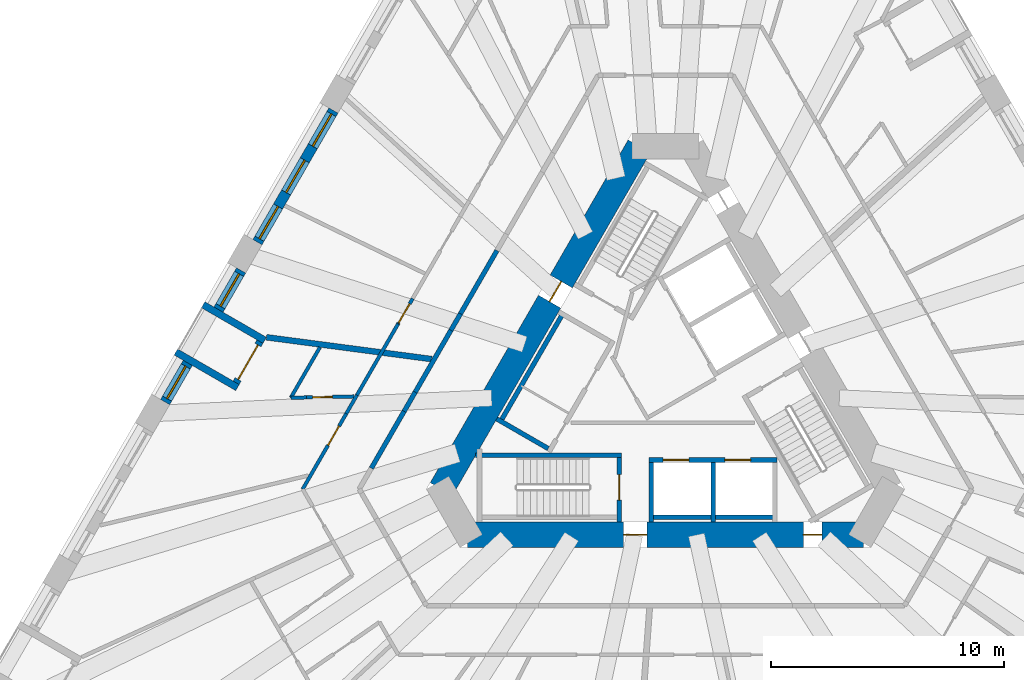
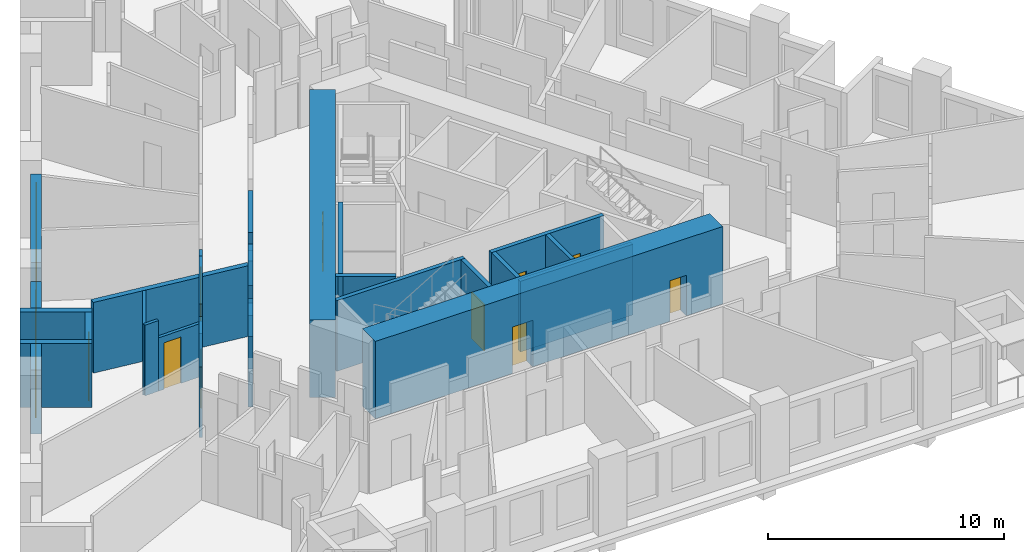
# One storey, part 4 of 14: 29 walls, 10 doors, 5 windows, 15 openings.
"""IFC4 building model written with IfcOpenShell, lengths in metres."""

from ifc_helpers import new_model, si_unit, direction, frame, frame_2d, origin, place, context, subcontext, project, spatial, polyline, rectangle, outline, extrude, material, layer, layer_set, type_object, element, fill, save


model = new_model("IFC4")

# Units and contexts
model_context = context("Model", 3, precision=1e-05, world=origin(), true_north=direction((0.0, 1.0)))
body_context = subcontext(model_context, "Body", "Model", "MODEL_VIEW")
ifc_project = project(units=[si_unit("LENGTHUNIT", "METRE"), si_unit("AREAUNIT", "SQUARE_METRE"), si_unit("VOLUMEUNIT", "CUBIC_METRE"), si_unit("PLANEANGLEUNIT", "RADIAN"), si_unit("MASSUNIT", "GRAM", prefix="KILO")], contexts=[model_context])

# Site, building, storey
site_placement = place(None, origin())
site = spatial("IfcSite", under=ifc_project, at=site_placement, CompositionType="ELEMENT")
building_placement = place(site_placement, origin())
building = spatial("IfcBuilding", under=site, at=building_placement, Name="Tramontana Tower", CompositionType="ELEMENT")
storey_placement = place(building_placement, frame((0.0, 0.0, 34.0)))
storey = spatial("IfcBuildingStorey", under=building, at=storey_placement, Name="L06", CompositionType="ELEMENT", Elevation=34.0)

# Wall, opening, door
ifc_material_1 = material(Name="Concrete 70 MPa", Category="concrete")
ifc_layer_1 = layer(ifc_material_1, 1.10009765625)
ifc_layer_set_1 = layer_set([ifc_layer_1], Name="Core wall 1100 70 MPa")
wall_type_1 = type_object("IfcWallType", Name="Core wall 1100 70 MPa", PredefinedType="SHEAR", material=ifc_layer_set_1)
wall_1_placement = place(storey_placement, frame((-1.125732421875, 10.449951171875, 0.0), z_axis=(0.0, 0.0, 1.0), x_axis=(-0.500001757713, -0.866024388966, 0.0)))
wall_1 = element("IfcWall", 1, at=wall_1_placement, inside=storey, type_object=wall_type_1, Name="Core wall C1 L06", PredefinedType="SHEAR", context=body_context, shape_type="SweptSolid", body=[
    extrude(rectangle(XDim=16.97412109375, YDim=1.10009765625, at=frame_2d((8.487060546875, 0.0))), origin(), (0.0, 0.0, 1.0), 4.0),
])
opening_1_placement = place(wall_1_placement, frame((6.692138671875, 0.0, 0.0)))
opening_1 = element("IfcOpeningElement", 2, at=opening_1_placement, cuts=wall_1, Name="Opening RG1", PredefinedType="OPENING", context=body_context, shape_type="SweptSolid", body=[
    extrude(rectangle(XDim=1.0, YDim=2.39990234375, at=frame_2d((0.5, 1.199951171875))), frame((0.0, 0.56005859375, 0.0), z_axis=(0.0, -1.0, 0.0), x_axis=(1.0, 0.0, 0.0)), (0.0, 0.0, 1.0), 1.1201171875),
])
ifc_material_2 = material(Name="Painted steel", Category="steel")
door_type_1 = type_object("IfcDoorType", Name="RING DOOR 1000", OperationType="SINGLE_SWING_LEFT", PredefinedType="DOOR", material=ifc_material_2)
door_1_placement = place(opening_1_placement, origin())
door_1 = element("IfcDoor", 3, at=door_1_placement, inside=storey, type_object=door_type_1, Name="Door RG1", OperationType="SINGLE_SWING_RIGHT", OverallHeight=2.39990234375, OverallWidth=1.0, PredefinedType="DOOR", context=body_context, shape_type="SweptSolid", body=[
    extrude(rectangle(XDim=1.0, YDim=2.39990234375, at=frame_2d((0.5, 1.199951171875))), frame((0.0, 0.02490234375, 0.0), z_axis=(0.0, -1.0, 0.0), x_axis=(1.0, 0.0, 0.0)), (0.0, 0.0, 1.0), 0.050048828125),
])
fill(opening_1, door_1)

# Wall, openings, doors
wall_2_placement = place(storey_placement, frame((-8.487060546875, -6.199951171875, 0.0), z_axis=(0.0, 0.0, 1.0), x_axis=(1.0, 0.0, 0.0)))
wall_2 = element("IfcWall", 4, at=wall_2_placement, inside=storey, type_object=wall_type_1, Name="Core wall C3 L06", PredefinedType="SHEAR", context=body_context, shape_type="SweptSolid", body=[
    extrude(rectangle(XDim=16.97412109375, YDim=1.10009765625, at=frame_2d((8.487060546875, 0.0))), origin(), (0.0, 0.0, 1.0), 4.0),
])
opening_2_placement = place(wall_2_placement, frame((6.69189453125, 0.0, 0.0)))
opening_2 = element("IfcOpeningElement", 5, at=opening_2_placement, cuts=wall_2, Name="Opening RG2", PredefinedType="OPENING", context=body_context, shape_type="SweptSolid", body=[
    extrude(rectangle(XDim=1.0, YDim=2.39990234375, at=frame_2d((0.5, 1.199951171875))), frame((0.0, 0.56005859375, 0.0), z_axis=(0.0, -1.0, 0.0), x_axis=(1.0, 0.0, 0.0)), (0.0, 0.0, 1.0), 1.1201171875),
])
opening_3_placement = place(wall_2_placement, frame((14.39697265625, 0.0, 0.0)))
opening_3 = element("IfcOpeningElement", 6, at=opening_3_placement, cuts=wall_2, Name="Opening PD2", PredefinedType="OPENING", context=body_context, shape_type="SweptSolid", body=[
    extrude(rectangle(XDim=0.800048828125, YDim=2.10009765625, at=frame_2d((0.39990234375, 1.050048828125))), frame((0.0, 0.56005859375, 0.0), z_axis=(0.0, -1.0, 0.0), x_axis=(1.0, 0.0, 0.0)), (0.0, 0.0, 1.0), 1.1201171875),
])
ifc_material_3 = material(Name="Painted steel", Category="steel")
door_type_2 = type_object("IfcDoorType", Name="CUPBOARD DOOR 800", OperationType="SINGLE_SWING_LEFT", PredefinedType="DOOR", material=ifc_material_3)
door_2_placement = place(opening_3_placement, origin())
door_2 = element("IfcDoor", 7, at=door_2_placement, inside=storey, type_object=door_type_2, Name="Door PD2", OperationType="SINGLE_SWING_LEFT", OverallHeight=2.10009765625, OverallWidth=0.800048828125, PredefinedType="DOOR", context=body_context, shape_type="SweptSolid", body=[
    extrude(rectangle(XDim=0.800048828125, YDim=2.10009765625, at=frame_2d((0.39990234375, 1.050048828125))), frame((0.0, 0.02490234375, 0.0), z_axis=(0.0, -1.0, 0.0), x_axis=(1.0, 0.0, 0.0)), (0.0, 0.0, 1.0), 0.050048828125),
])
fill(opening_3, door_2)
door_3_placement = place(opening_2_placement, origin())
door_3 = element("IfcDoor", 8, at=door_3_placement, inside=storey, type_object=door_type_1, Name="Door RG2", OperationType="SINGLE_SWING_LEFT", OverallHeight=2.39990234375, OverallWidth=1.0, PredefinedType="DOOR", context=body_context, shape_type="SweptSolid", body=[
    extrude(rectangle(XDim=1.0, YDim=2.39990234375, at=frame_2d((0.5, 1.199951171875))), frame((0.0, 0.02490234375, 0.0), z_axis=(0.0, -1.0, 0.0), x_axis=(1.0, 0.0, 0.0)), (0.0, 0.0, 1.0), 0.050048828125),
])
fill(opening_2, door_3)

# Walls
ifc_material_4 = material(Name="Blockwork", Category="masonry")
ifc_layer_2 = layer(ifc_material_4, 0.199951171875)
ifc_layer_set_2 = layer_set([ifc_layer_2], Name="ENTRY WALL 200")
wall_type_2 = type_object("IfcWallType", Name="ENTRY WALL 200", PredefinedType="SOLIDWALL", material=ifc_layer_set_2)
wall_3_placement = place(storey_placement, frame((-12.616943359375, -3.353515625, 0.0), z_axis=(0.0, 0.0, 1.0), x_axis=(0.49993514545, 0.866062844338, 0.0)))
element("IfcWall", 9, at=wall_3_placement, inside=storey, type_object=wall_type_2, Name="Wall v01-ew4-1", PredefinedType="SOLIDWALL", context=body_context, shape_type="SweptSolid", body=[
    extrude(rectangle(XDim=2.815185546875, YDim=0.199951171875, at=frame_2d((1.40771484375, 0.0))), origin(), (0.0, 0.0, 1.0), 3.64990234375),
])
wall_4_placement = place(storey_placement, frame((-11.20947265625, -0.915283203125, 0.0), z_axis=(0.0, 0.0, 1.0), x_axis=(0.500174821557, 0.865924446982, 0.0)))
element("IfcWall", 10, at=wall_4_placement, inside=storey, type_object=wall_type_2, Name="Wall v01-ew4-2", PredefinedType="SOLIDWALL", context=body_context, shape_type="SweptSolid", body=[
    extrude(rectangle(XDim=0.949951171875, YDim=0.199951171875, at=frame_2d((0.47509765625, 0.0))), origin(), (0.0, 0.0, 1.0), 2.75),
])
wall_5_placement = place(storey_placement, frame((-10.734375, -0.0927734375, 0.0), z_axis=(0.0, 0.0, 1.0), x_axis=(0.499952348839, 0.866052913447, 0.0)))
element("IfcWall", 11, at=wall_5_placement, inside=storey, type_object=wall_type_2, Name="Wall v01-ew4-3", PredefinedType="SOLIDWALL", context=body_context, shape_type="SweptSolid", body=[
    extrude(rectangle(XDim=3.064208984375, YDim=0.199951171875, at=frame_2d((1.5322265625, 0.0))), origin(), (0.0, 0.0, 1.0), 3.64990234375),
])
wall_6_placement = place(storey_placement, frame((-9.202392578125, 2.56103515625, 0.0), z_axis=(0.0, 0.0, 1.0), x_axis=(0.500118501653, 0.865956976012, 0.0)))
element("IfcWall", 12, at=wall_6_placement, inside=storey, type_object=wall_type_2, Name="Wall v01-ew4-4", PredefinedType="SOLIDWALL", context=body_context, shape_type="SweptSolid", body=[
    extrude(rectangle(XDim=0.818115234375, YDim=0.199951171875, at=frame_2d((0.4091796875, 0.0))), origin(), (0.0, 0.0, 1.0), 2.75),
])
wall_7_placement = place(storey_placement, frame((-8.793212890625, 3.26953125, 0.0), z_axis=(0.0, 0.0, 1.0), x_axis=(0.499947505232, 0.866055709532, 0.0)))
element("IfcWall", 13, at=wall_7_placement, inside=storey, type_object=wall_type_2, Name="Wall v01-ew4-5", PredefinedType="SOLIDWALL", context=body_context, shape_type="SweptSolid", body=[
    extrude(rectangle(XDim=3.130126953125, YDim=0.199951171875, at=frame_2d((1.56494140625, 0.0))), origin(), (0.0, 0.0, 1.0), 3.64990234375),
])

# Wall, openings, windows
ifc_material_5 = material(Name="Precast concrete 60 MPa", Category="concrete")
ifc_layer_3 = layer(ifc_material_5, 0.449951171875)
ifc_layer_set_3 = layer_set([ifc_layer_3], Name="Precast concrete 60 MPa, 450 mm")
wall_type_3 = type_object("IfcWallType", Name="EW1 Stone-faced precast wall 450", PredefinedType="SOLIDWALL", material=ifc_layer_set_3)
wall_8_placement = place(storey_placement, frame((-14.240478515625, 11.98486328125, 0.0), z_axis=(0.0, 0.0, 1.0), x_axis=(-0.500002371706, -0.866024034475, 0.0)))
wall_8 = element("IfcWall", 14, at=wall_8_placement, inside=storey, type_object=wall_type_3, Name="External wall L06 face 0 bay 4", PredefinedType="SOLIDWALL", context=body_context, shape_type="SweptSolid", body=[
    extrude(rectangle(XDim=6.51806640625, YDim=0.449951171875, at=frame_2d((3.259033203125, 0.0))), origin(), (0.0, 0.0, 1.0), 3.300048828125),
])
opening_4_placement = place(wall_8_placement, frame((0.169677734375, 0.0, 0.699951171875)))
opening_4 = element("IfcOpeningElement", 15, at=opening_4_placement, cuts=wall_8, Name="Opening M1", PredefinedType="OPENING", context=body_context, shape_type="SweptSolid", body=[
    extrude(rectangle(XDim=1.60009765625, YDim=2.300048828125, at=frame_2d((0.800048828125, 1.14990234375))), frame((0.0, 0.23486328125, 0.0), z_axis=(0.0, -1.0, 0.0), x_axis=(1.0, 0.0, 0.0)), (0.0, 0.0, 1.0), 0.469970703125),
])
opening_5_placement = place(wall_8_placement, frame((2.458984375, 0.0, 0.699951171875)))
opening_5 = element("IfcOpeningElement", 16, at=opening_5_placement, cuts=wall_8, Name="Opening M1", PredefinedType="OPENING", context=body_context, shape_type="SweptSolid", body=[
    extrude(rectangle(XDim=1.60009765625, YDim=2.300048828125, at=frame_2d((0.800048828125, 1.14990234375))), frame((0.0, 0.23486328125, 0.0), z_axis=(0.0, -1.0, 0.0), x_axis=(1.0, 0.0, 0.0)), (0.0, 0.0, 1.0), 0.469970703125),
])
opening_6_placement = place(wall_8_placement, frame((4.748291015625, 0.0, 0.699951171875)))
opening_6 = element("IfcOpeningElement", 17, at=opening_6_placement, cuts=wall_8, Name="Opening M1", PredefinedType="OPENING", context=body_context, shape_type="SweptSolid", body=[
    extrude(rectangle(XDim=1.60009765625, YDim=2.300048828125, at=frame_2d((0.800048828125, 1.14990234375))), frame((0.0, 0.23486328125, 0.0), z_axis=(0.0, -1.0, 0.0), x_axis=(1.0, 0.0, 0.0)), (0.0, 0.0, 1.0), 0.469970703125),
])
ifc_material_6 = material(Name="Aluminum frame, double glazing unit", Category="aluminium")
window_type = type_object("IfcWindowType", Name="M1 Window 1.6 x 2.3", PartitioningType="SINGLE_PANEL", PredefinedType="WINDOW", material=ifc_material_6)
window_1_placement = place(opening_4_placement, origin())
window_1 = element("IfcWindow", 18, at=window_1_placement, inside=storey, type_object=window_type, Name="Window M1 L06 face 0 module 10", OverallHeight=2.300048828125, OverallWidth=1.60009765625, PartitioningType="SINGLE_PANEL", PredefinedType="WINDOW", context=body_context, shape_type="SweptSolid", body=[
    extrude(rectangle(XDim=1.60009765625, YDim=2.300048828125, at=frame_2d((0.800048828125, 1.14990234375))), frame((0.0, 0.030029296875, 0.0), z_axis=(0.0, -1.0, 0.0), x_axis=(1.0, 0.0, 0.0)), (0.0, 0.0, 1.0), 0.06005859375),
])
fill(opening_4, window_1)
window_2_placement = place(opening_5_placement, origin())
window_2 = element("IfcWindow", 19, at=window_2_placement, inside=storey, type_object=window_type, Name="Window M1 L06 face 0 module 11", OverallHeight=2.300048828125, OverallWidth=1.60009765625, PartitioningType="SINGLE_PANEL", PredefinedType="WINDOW", context=body_context, shape_type="SweptSolid", body=[
    extrude(rectangle(XDim=1.60009765625, YDim=2.300048828125, at=frame_2d((0.800048828125, 1.14990234375))), frame((0.0, 0.030029296875, 0.0), z_axis=(0.0, -1.0, 0.0), x_axis=(1.0, 0.0, 0.0)), (0.0, 0.0, 1.0), 0.06005859375),
])
fill(opening_5, window_2)
window_3_placement = place(opening_6_placement, origin())
window_3 = element("IfcWindow", 20, at=window_3_placement, inside=storey, type_object=window_type, Name="Window M1 L06 face 0 module 12", OverallHeight=2.300048828125, OverallWidth=1.60009765625, PartitioningType="SINGLE_PANEL", PredefinedType="WINDOW", context=body_context, shape_type="SweptSolid", body=[
    extrude(rectangle(XDim=1.60009765625, YDim=2.300048828125, at=frame_2d((0.800048828125, 1.14990234375))), frame((0.0, 0.030029296875, 0.0), z_axis=(0.0, -1.0, 0.0), x_axis=(1.0, 0.0, 0.0)), (0.0, 0.0, 1.0), 0.06005859375),
])
fill(opening_6, window_3)

# Wall, opening, window
wall_9_placement = place(storey_placement, frame((-18.199462890625, 5.127685546875, 0.0), z_axis=(0.0, 0.0, 1.0), x_axis=(-0.499944052521, -0.866057702667, 0.0)))
wall_9 = element("IfcWall", 21, at=wall_9_placement, inside=storey, type_object=wall_type_3, Name="External wall L06 face 0 bay 5", PredefinedType="SOLIDWALL", context=body_context, shape_type="SweptSolid", body=[
    extrude(rectangle(XDim=1.939208984375, YDim=0.449951171875, at=frame_2d((0.9697265625, 0.0))), origin(), (0.0, 0.0, 1.0), 3.300048828125),
])
opening_7_placement = place(wall_9_placement, frame((0.169677734375, 0.0, 0.699951171875)))
opening_7 = element("IfcOpeningElement", 22, at=opening_7_placement, cuts=wall_9, Name="Opening M1", PredefinedType="OPENING", context=body_context, shape_type="SweptSolid", body=[
    extrude(rectangle(XDim=1.60009765625, YDim=2.300048828125, at=frame_2d((0.800048828125, 1.14990234375))), frame((0.0, 0.23486328125, 0.0), z_axis=(0.0, -1.0, 0.0), x_axis=(1.0, 0.0, 0.0)), (0.0, 0.0, 1.0), 0.469970703125),
])
window_4_placement = place(opening_7_placement, origin())
window_4 = element("IfcWindow", 23, at=window_4_placement, inside=storey, type_object=window_type, Name="Window M1 L06 face 0 module 13", OverallHeight=2.300048828125, OverallWidth=1.60009765625, PartitioningType="SINGLE_PANEL", PredefinedType="WINDOW", context=body_context, shape_type="SweptSolid", body=[
    extrude(rectangle(XDim=1.60009765625, YDim=2.300048828125, at=frame_2d((0.800048828125, 1.14990234375))), frame((0.0, 0.030029296875, 0.0), z_axis=(0.0, -1.0, 0.0), x_axis=(1.0, 0.0, 0.0)), (0.0, 0.0, 1.0), 0.06005859375),
])
fill(opening_7, window_4)

wall_10_placement = place(storey_placement, frame((-20.48876953125, 1.16259765625, 0.0), z_axis=(0.0, 0.0, 1.0), x_axis=(-0.49998396455, -0.866034661658, 0.0)))
wall_10 = element("IfcWall", 24, at=wall_10_placement, inside=storey, type_object=wall_type_3, Name="External wall L06 face 0 bay 5", PredefinedType="SOLIDWALL", context=body_context, shape_type="SweptSolid", body=[
    extrude(rectangle(XDim=1.939453125, YDim=0.449951171875, at=frame_2d((0.9697265625, 0.0))), origin(), (0.0, 0.0, 1.0), 3.300048828125),
])
opening_8_placement = place(wall_10_placement, frame((0.169677734375, 0.0, 0.699951171875)))
opening_8 = element("IfcOpeningElement", 25, at=opening_8_placement, cuts=wall_10, Name="Opening M1", PredefinedType="OPENING", context=body_context, shape_type="SweptSolid", body=[
    extrude(rectangle(XDim=1.60009765625, YDim=2.300048828125, at=frame_2d((0.800048828125, 1.14990234375))), frame((0.0, 0.23486328125, 0.0), z_axis=(0.0, -1.0, 0.0), x_axis=(1.0, 0.0, 0.0)), (0.0, 0.0, 1.0), 0.469970703125),
])
window_5_placement = place(opening_8_placement, origin())
window_5 = element("IfcWindow", 26, at=window_5_placement, inside=storey, type_object=window_type, Name="Window M1 L06 face 0 module 15", OverallHeight=2.300048828125, OverallWidth=1.60009765625, PartitioningType="SINGLE_PANEL", PredefinedType="WINDOW", context=body_context, shape_type="SweptSolid", body=[
    extrude(rectangle(XDim=1.60009765625, YDim=2.300048828125, at=frame_2d((0.800048828125, 1.14990234375))), frame((0.0, 0.030029296875, 0.0), z_axis=(0.0, -1.0, 0.0), x_axis=(1.0, 0.0, 0.0)), (0.0, 0.0, 1.0), 0.06005859375),
])
fill(opening_8, window_5)

# Wall, opening, door
ifc_material_7 = material(Name="Precast concrete 60 MPa", Category="concrete")
ifc_layer_4 = layer(ifc_material_7, 0.300048828125)
ifc_layer_set_4 = layer_set([ifc_layer_4], Name="LW1 Stone-faced loggia wall 300")
wall_type_4 = type_object("IfcWallType", Name="LW1 Stone-faced loggia wall 300", PredefinedType="SOLIDWALL", material=ifc_layer_set_4)
wall_11_placement = place(storey_placement, frame((-17.39208984375, 2.075927734375, 0.0), z_axis=(0.0, 0.0, 1.0), x_axis=(-0.500040236659, -0.866002171892, 0.0)))
wall_11 = element("IfcWall", 27, at=wall_11_placement, inside=storey, type_object=wall_type_4, Name="Loggia wall L06 G0S0.13", PredefinedType="SOLIDWALL", context=body_context, shape_type="SweptSolid", body=[
    extrude(rectangle(XDim=2.039306640625, YDim=0.300048828125, at=frame_2d((1.01953125, 0.0))), origin(), (0.0, 0.0, 1.0), 3.300048828125),
])
opening_9_placement = place(wall_11_placement, frame((0.169677734375, 0.0, 0.0)))
opening_9 = element("IfcOpeningElement", 28, at=opening_9_placement, cuts=wall_11, Name="Opening BD-0S0-13", PredefinedType="OPENING", context=body_context, shape_type="SweptSolid", body=[
    extrude(rectangle(XDim=1.699951171875, YDim=2.39990234375, at=frame_2d((0.85009765625, 1.199951171875))), frame((0.0, 0.159912109375, 0.0), z_axis=(0.0, -1.0, 0.0), x_axis=(1.0, 0.0, 0.0)), (0.0, 0.0, 1.0), 0.320068359375),
])
ifc_material_8 = material(Name="Aluminum frame, double glazing unit", Category="aluminium")
door_type_3 = type_object("IfcDoorType", Name="BD1 Sliding door 1.7 x 2.4", OperationType="SLIDING_TO_LEFT", PredefinedType="DOOR", material=ifc_material_8)
door_4_placement = place(opening_9_placement, origin())
door_4 = element("IfcDoor", 29, at=door_4_placement, inside=storey, type_object=door_type_3, Name="Loggia door L06 G0S0.13", OperationType="SLIDING_TO_LEFT", OverallHeight=2.39990234375, OverallWidth=1.699951171875, PredefinedType="DOOR", context=body_context, shape_type="SweptSolid", body=[
    extrude(rectangle(XDim=1.699951171875, YDim=2.39990234375, at=frame_2d((0.85009765625, 1.199951171875))), frame((0.0, 0.02490234375, 0.0), z_axis=(0.0, -1.0, 0.0), x_axis=(1.0, 0.0, 0.0)), (0.0, 0.0, 1.0), 0.050048828125),
])
fill(opening_9, door_4)

# Walls
for number, where, z_axis, x_axis, name in (
    (30, (-19.82861328125, 3.65576171875, 0.0), (0.0, 0.0, 1.0), (0.866037623948, -0.499978833458, 0.0), "Loggia return L06 G0S0.13a"),
    (31, (-20.998291015625, 1.6298828125, 0.0), (0.0, 0.0, 1.0), (0.866037623948, -0.499978833458, 0.0), "Loggia return L06 G0S0.13b"),
):
    element("IfcWall", number, at=place(storey_placement, frame(where, z_axis=z_axis, x_axis=x_axis)), inside=storey, type_object=wall_type_4, Name=name, PredefinedType="SOLIDWALL", context=body_context, shape_type="SweptSolid", body=[
        extrude(rectangle(XDim=3.050048828125, YDim=0.300048828125, at=frame_2d((1.52490234375, 0.0))), origin(), (0.0, 0.0, 1.0), 3.300048828125),
    ])
ifc_material_9 = material(Name="Gypsum board partition")
ifc_layer_5 = layer(ifc_material_9, 0.14990234375)
ifc_layer_set_5 = layer_set([ifc_layer_5], Name="PARTITION 150")
wall_type_5 = type_object("IfcWallType", Name="PARTITION 150", PredefinedType="PARTITIONING", material=ifc_layer_set_5)
wall_12_placement = place(storey_placement, frame((-16.069580078125, -0.333251953125, 0.0), z_axis=(0.0, 0.0, 1.0), x_axis=(0.500004234368, 0.866022959057, 0.0)))
element("IfcWall", 32, at=wall_12_placement, inside=storey, type_object=wall_type_5, Name="Wall v01-pw05", PredefinedType="PARTITIONING", context=body_context, shape_type="SweptSolid", body=[
    extrude(rectangle(XDim=2.5, YDim=0.14990234375, at=frame_2d((1.25, 0.0))), origin(), (0.0, 0.0, 1.0), 3.64990234375),
])

# Wall, opening, door
wall_13_placement = place(storey_placement, frame((-15.5595703125, -4.25, 0.0), z_axis=(0.0, 0.0, 1.0), x_axis=(0.500007375767, 0.866021145342, 0.0)))
wall_13 = element("IfcWall", 33, at=wall_13_placement, inside=storey, type_object=wall_type_5, Name="Wall v01-pw07-0", PredefinedType="PARTITIONING", context=body_context, shape_type="SweptSolid", body=[
    extrude(rectangle(XDim=3.7333984375, YDim=0.14990234375, at=frame_2d((1.86669921875, 0.0))), origin(), (0.0, 0.0, 1.0), 3.64990234375),
])
opening_10_placement = place(wall_13_placement, frame((2.170654296875, 0.0, 0.0)))
opening_10 = element("IfcOpeningElement", 34, at=opening_10_placement, cuts=wall_13, Name="Opening B0B-18", PredefinedType="OPENING", context=body_context, shape_type="SweptSolid", body=[
    extrude(rectangle(XDim=0.949951171875, YDim=2.39990234375, at=frame_2d((0.47509765625, 1.199951171875))), frame((0.0, 0.0849609375, 0.0), z_axis=(0.0, -1.0, 0.0), x_axis=(1.0, 0.0, 0.0)), (0.0, 0.0, 1.0), 0.169921875),
])
ifc_material_10 = material(Name="Painted timber", Category="wood")
door_type_4 = type_object("IfcDoorType", Name="DOOR ROOM 950", OperationType="SINGLE_SWING_LEFT", PredefinedType="DOOR", material=ifc_material_10)
door_5_placement = place(opening_10_placement, origin())
door_5 = element("IfcDoor", 35, at=door_5_placement, inside=storey, type_object=door_type_4, Name="Door B0B-18", OperationType="SINGLE_SWING_RIGHT", OverallHeight=2.39990234375, OverallWidth=0.949951171875, PredefinedType="DOOR", context=body_context, shape_type="SweptSolid", body=[
    extrude(rectangle(XDim=0.949951171875, YDim=2.39990234375, at=frame_2d((0.47509765625, 1.199951171875))), frame((0.0, 0.02490234375, 0.0), z_axis=(0.0, -1.0, 0.0), x_axis=(1.0, 0.0, 0.0)), (0.0, 0.0, 1.0), 0.050048828125),
])
fill(opening_10, door_5)

# Walls
wall_14_placement = place(storey_placement, frame((-13.69287109375, -1.016845703125, 0.0), z_axis=(0.0, 0.0, 1.0), x_axis=(0.499906209203, 0.866079547155, 0.0)))
element("IfcWall", 36, at=wall_14_placement, inside=storey, type_object=wall_type_5, Name="Wall v01-pw07-1", PredefinedType="PARTITIONING", context=body_context, shape_type="SweptSolid", body=[
    extrude(rectangle(XDim=0.920166015625, YDim=0.14990234375, at=frame_2d((0.4599609375, 0.0))), origin(), (0.0, 0.0, 1.0), 2.75),
])
wall_15_placement = place(storey_placement, frame((-13.23291015625, -0.219970703125, 0.0), z_axis=(0.0, 0.0, 1.0), x_axis=(0.500008478926, 0.866020508419, 0.0)))
element("IfcWall", 37, at=wall_15_placement, inside=storey, type_object=wall_type_5, Name="Wall v01-pw07-2", PredefinedType="PARTITIONING", context=body_context, shape_type="SweptSolid", body=[
    extrude(rectangle(XDim=3.52197265625, YDim=0.14990234375, at=frame_2d((1.760986328125, 0.0))), origin(), (0.0, 0.0, 1.0), 3.64990234375),
])

# Wall, opening, door
wall_16_placement = place(storey_placement, frame((-11.471923828125, 2.830078125, 0.0), z_axis=(0.0, 0.0, 1.0), x_axis=(0.499935087192, 0.866062877968, 0.0)))
wall_16 = element("IfcWall", 38, at=wall_16_placement, inside=storey, type_object=wall_type_5, Name="Wall v01-pw07-3", PredefinedType="PARTITIONING", context=body_context, shape_type="SweptSolid", body=[
    extrude(outline(polyline([(0.0, 0.0), (1.259033203125, 0.0), (1.2587890625, 2.75), (0.46630859375, 2.75), (0.46630859375, 3.64990234375), (0.0, 3.64990234375), (0.0, 0.0)])), frame((0.0, 0.074951171875, 0.0), z_axis=(0.0, -1.0, 0.0), x_axis=(1.0, 0.0, 0.0)), (0.0, 0.0, 1.0), 0.14990234375),
])
opening_11_placement = place(wall_16_placement, frame((0.050048828125, 0.0, 0.0)))
opening_11 = element("IfcOpeningElement", 39, at=opening_11_placement, cuts=wall_16, Name="Opening B0B-10", PredefinedType="OPENING", context=body_context, shape_type="SweptSolid", body=[
    extrude(rectangle(XDim=0.949951171875, YDim=2.39990234375, at=frame_2d((0.47509765625, 1.199951171875))), frame((0.0, 0.0849609375, 0.0), z_axis=(0.0, -1.0, 0.0), x_axis=(1.0, 0.0, 0.0)), (0.0, 0.0, 1.0), 0.169921875),
])
door_6_placement = place(opening_11_placement, origin())
door_6 = element("IfcDoor", 40, at=door_6_placement, inside=storey, type_object=door_type_4, Name="Door B0B-10", OperationType="SINGLE_SWING_RIGHT", OverallHeight=2.39990234375, OverallWidth=0.949951171875, PredefinedType="DOOR", context=body_context, shape_type="SweptSolid", body=[
    extrude(rectangle(XDim=0.949951171875, YDim=2.39990234375, at=frame_2d((0.47509765625, 1.199951171875))), frame((0.0, 0.02490234375, 0.0), z_axis=(0.0, -1.0, 0.0), x_axis=(1.0, 0.0, 0.0)), (0.0, 0.0, 1.0), 0.050048828125),
])
fill(opening_11, door_6)

wall_17_placement = place(storey_placement, frame((-15.39892578125, -0.3193359375, 0.0), z_axis=(0.0, 0.0, 1.0), x_axis=(0.999787125037, 0.020632610358, 0.0)))
wall_17 = element("IfcWall", 41, at=wall_17_placement, inside=storey, type_object=wall_type_5, Name="Wall v01-pw10-0", PredefinedType="PARTITIONING", context=body_context, shape_type="SweptSolid", body=[
    extrude(rectangle(XDim=2.047119140625, YDim=0.14990234375, at=frame_2d((1.0234375, 0.0))), origin(), (0.0, 0.0, 1.0), 2.75),
])
opening_12_placement = place(wall_17_placement, frame((0.262939453125, 0.0, 0.0)))
opening_12 = element("IfcOpeningElement", 42, at=opening_12_placement, cuts=wall_17, Name="Opening B0B-21", PredefinedType="OPENING", context=body_context, shape_type="SweptSolid", body=[
    extrude(rectangle(XDim=0.85009765625, YDim=2.39990234375, at=frame_2d((0.425048828125, 1.199951171875))), frame((0.0, 0.0849609375, 0.0), z_axis=(0.0, -1.0, 0.0), x_axis=(1.0, 0.0, 0.0)), (0.0, 0.0, 1.0), 0.169921875),
])
ifc_material_11 = material(Name="Painted timber", Category="wood")
door_type_5 = type_object("IfcDoorType", Name="DOOR BATH 850", OperationType="SINGLE_SWING_LEFT", PredefinedType="DOOR", material=ifc_material_11)
door_7_placement = place(opening_12_placement, origin())
door_7 = element("IfcDoor", 43, at=door_7_placement, inside=storey, type_object=door_type_5, Name="Door B0B-21", OperationType="SINGLE_SWING_LEFT", OverallHeight=2.39990234375, OverallWidth=0.85009765625, PredefinedType="DOOR", context=body_context, shape_type="SweptSolid", body=[
    extrude(rectangle(XDim=0.85009765625, YDim=2.39990234375, at=frame_2d((0.425048828125, 1.199951171875))), frame((0.0, 0.02490234375, 0.0), z_axis=(0.0, -1.0, 0.0), x_axis=(1.0, 0.0, 0.0)), (0.0, 0.0, 1.0), 0.050048828125),
])
fill(opening_12, door_7)

# Walls
wall_18_placement = place(storey_placement, frame((-15.39892578125, -0.3193359375, 0.0), z_axis=(0.0, 0.0, 1.0), x_axis=(-0.999784790131, -0.020745443406, 0.0)))
element("IfcWall", 44, at=wall_18_placement, inside=storey, type_object=wall_type_5, Name="Wall v01-pw10-1", PredefinedType="PARTITIONING", context=body_context, shape_type="SweptSolid", body=[
    extrude(rectangle(XDim=0.6708984375, YDim=0.14990234375, at=frame_2d((0.33544921875, 0.0))), origin(), (0.0, 0.0, 1.0), 3.64990234375),
])
ifc_material_12 = material(Name="Blockwork", Category="masonry")
ifc_layer_6 = layer(ifc_material_12, 0.25)
ifc_layer_set_6 = layer_set([ifc_layer_6], Name="PARTY WALL 250")
wall_type_6 = type_object("IfcWallType", Name="PARTY WALL 250", PredefinedType="SOLIDWALL", material=ifc_layer_set_6)
wall_19_placement = place(storey_placement, frame((-10.03125, 1.3251953125, 0.0), z_axis=(0.0, 0.0, 1.0), x_axis=(-0.991384816292, 0.130981472074, 0.0)))
element("IfcWall", 45, at=wall_19_placement, inside=storey, type_object=wall_type_6, Name="Wall v01-pw16", PredefinedType="SOLIDWALL", context=body_context, shape_type="SweptSolid", body=[
    extrude(rectangle(XDim=7.142578125, YDim=0.25, at=frame_2d((3.5712890625, 0.0))), origin(), (0.0, 0.0, 1.0), 3.64990234375),
])
ifc_material_13 = material(Name="Concrete 70 MPa", Category="concrete")
ifc_layer_7 = layer(ifc_material_13, 0.199951171875)
ifc_layer_set_7 = layer_set([ifc_layer_7], Name="Concrete 70 MPa, 200 mm")
wall_type_7 = type_object("IfcWallType", Name="RC SHAFT BACK WALL 200", PredefinedType="SOLIDWALL", material=ifc_layer_set_7)
for number, where, z_axis, x_axis, name in (
    (46, (-4.36474609375, 3.33984375, 0.0), (0.0, 0.0, 1.0), (-0.499996545922, -0.866027397988, 0.0), "Wall row0-back"),
    (47, (-0.7099609375, -5.449951171875, 0.0), (0.0, 0.0, 1.0), (1.0, 0.0, 0.0), "Wall row1-back"),
):
    element("IfcWall", number, at=place(storey_placement, frame(where, z_axis=z_axis, x_axis=x_axis)), inside=storey, type_object=wall_type_7, Name=name, PredefinedType="SOLIDWALL", context=body_context, shape_type="SweptSolid", body=[
        extrude(rectangle(XDim=5.5, YDim=0.199951171875, at=frame_2d((2.75, 0.0))), origin(), (0.0, 0.0, 1.0), 3.64990234375),
    ])
ifc_material_14 = material(Name="Concrete 70 MPa", Category="concrete")
ifc_layer_8 = layer(ifc_material_14, 0.199951171875)
ifc_layer_set_8 = layer_set([ifc_layer_8], Name="Concrete 70 MPa, 200 mm")
wall_type_8 = type_object("IfcWallType", Name="RC STAIR AND SHAFT WALL 200", PredefinedType="SOLIDWALL", material=ifc_layer_set_8)
wall_20_placement = place(storey_placement, frame((-8.140625, -2.800048828125, 0.0), z_axis=(0.0, 0.0, 1.0), x_axis=(1.0, 0.0, 0.0)))
element("IfcWall", 48, at=wall_20_placement, inside=storey, type_object=wall_type_8, Name="Wall st2-front", PredefinedType="SOLIDWALL", context=body_context, shape_type="SweptSolid", body=[
    extrude(rectangle(XDim=6.2607421875, YDim=0.199951171875, at=frame_2d((3.13037109375, 0.0))), origin(), (0.0, 0.0, 1.0), 3.64990234375),
])

# Wall, opening, door
wall_21_placement = place(storey_placement, frame((-1.97998046875, -2.89990234375, 0.0), z_axis=(0.0, 0.0, 1.0), x_axis=(0.0, -1.0, 0.0)))
wall_21 = element("IfcWall", 49, at=wall_21_placement, inside=storey, type_object=wall_type_8, Name="Wall st2-near", PredefinedType="SOLIDWALL", context=body_context, shape_type="SweptSolid", body=[
    extrude(rectangle(XDim=2.75, YDim=0.199951171875, at=frame_2d((1.375, 0.0))), origin(), (0.0, 0.0, 1.0), 3.64990234375),
])
opening_13_placement = place(wall_21_placement, frame((0.72509765625, 0.0, 0.0)))
opening_13 = element("IfcOpeningElement", 50, at=opening_13_placement, cuts=wall_21, Name="Opening SD2", PredefinedType="OPENING", context=body_context, shape_type="SweptSolid", body=[
    extrude(rectangle(XDim=1.10009765625, YDim=2.39990234375, at=frame_2d((0.550048828125, 1.199951171875))), frame((0.0, 0.10986328125, 0.0), z_axis=(0.0, -1.0, 0.0), x_axis=(1.0, 0.0, 0.0)), (0.0, 0.0, 1.0), 0.219970703125),
])
ifc_material_15 = material(Name="Painted steel", Category="steel")
door_type_6 = type_object("IfcDoorType", Name="STAIR DOOR 1100", OperationType="SINGLE_SWING_LEFT", PredefinedType="DOOR", material=ifc_material_15)
door_8_placement = place(opening_13_placement, origin())
door_8 = element("IfcDoor", 51, at=door_8_placement, inside=storey, type_object=door_type_6, Name="Door SD2", OperationType="SINGLE_SWING_LEFT", OverallHeight=2.39990234375, OverallWidth=1.10009765625, PredefinedType="DOOR", context=body_context, shape_type="SweptSolid", body=[
    extrude(rectangle(XDim=1.10009765625, YDim=2.39990234375, at=frame_2d((0.550048828125, 1.199951171875))), frame((0.0, 0.02490234375, 0.0), z_axis=(0.0, -1.0, 0.0), x_axis=(1.0, 0.0, 0.0)), (0.0, 0.0, 1.0), 0.050048828125),
])
fill(opening_13, door_8)

# Wall
wall_22_placement = place(storey_placement, frame((-5.02978515625, -2.51171875, 0.0), z_axis=(0.0, 0.0, 1.0), x_axis=(-0.865989465428, 0.500062241894, 0.0)))
element("IfcWall", 52, at=wall_22_placement, inside=storey, type_object=wall_type_8, Name="Wall row0-side2", PredefinedType="SOLIDWALL", context=body_context, shape_type="SweptSolid", body=[
    extrude(rectangle(XDim=2.550048828125, YDim=0.199951171875, at=frame_2d((1.27490234375, 0.0))), origin(), (0.0, 0.0, 1.0), 3.64990234375),
])

# Wall, openings, doors
wall_23_placement = place(storey_placement, frame((-0.7099609375, -3.0, 0.0), z_axis=(0.0, 0.0, 1.0), x_axis=(1.0, 0.0, 0.0)))
wall_23 = element("IfcWall", 53, at=wall_23_placement, inside=storey, type_object=wall_type_8, Name="Wall row1-front", PredefinedType="SOLIDWALL", context=body_context, shape_type="SweptSolid", body=[
    extrude(rectangle(XDim=5.5, YDim=0.199951171875, at=frame_2d((2.75, 0.0))), origin(), (0.0, 0.0, 1.0), 3.64990234375),
])
opening_14_placement = place(wall_23_placement, frame((0.610107421875, 0.0, 0.0)))
opening_14 = element("IfcOpeningElement", 54, at=opening_14_placement, cuts=wall_23, Name="Opening LD-S1", PredefinedType="OPENING", context=body_context, shape_type="SweptSolid", body=[
    extrude(rectangle(XDim=1.10009765625, YDim=2.10009765625, at=frame_2d((0.550048828125, 1.050048828125))), frame((0.0, 0.10986328125, 0.0), z_axis=(0.0, -1.0, 0.0), x_axis=(1.0, 0.0, 0.0)), (0.0, 0.0, 1.0), 0.219970703125),
])
opening_15_placement = place(wall_23_placement, frame((3.260009765625, 0.0, 0.0)))
opening_15 = element("IfcOpeningElement", 55, at=opening_15_placement, cuts=wall_23, Name="Opening LD-S2", PredefinedType="OPENING", context=body_context, shape_type="SweptSolid", body=[
    extrude(rectangle(XDim=1.10009765625, YDim=2.10009765625, at=frame_2d((0.550048828125, 1.050048828125))), frame((0.0, 0.10986328125, 0.0), z_axis=(0.0, -1.0, 0.0), x_axis=(1.0, 0.0, 0.0)), (0.0, 0.0, 1.0), 0.219970703125),
])
ifc_material_16 = material(Name="Brushed steel", Category="steel")
door_type_7 = type_object("IfcDoorType", Name="LANDING DOOR 1100", OperationType="SINGLE_SWING_LEFT", PredefinedType="DOOR", material=ifc_material_16)
door_9_placement = place(opening_14_placement, origin())
door_9 = element("IfcDoor", 56, at=door_9_placement, inside=storey, type_object=door_type_7, Name="Door LD-S1", OperationType="SLIDING_TO_LEFT", OverallHeight=2.10009765625, OverallWidth=1.10009765625, PredefinedType="DOOR", context=body_context, shape_type="SweptSolid", body=[
    extrude(rectangle(XDim=1.10009765625, YDim=2.10009765625, at=frame_2d((0.550048828125, 1.050048828125))), frame((0.0, 0.02490234375, 0.0), z_axis=(0.0, -1.0, 0.0), x_axis=(1.0, 0.0, 0.0)), (0.0, 0.0, 1.0), 0.050048828125),
])
fill(opening_14, door_9)
door_10_placement = place(opening_15_placement, origin())
door_10 = element("IfcDoor", 57, at=door_10_placement, inside=storey, type_object=door_type_7, Name="Door LD-S2", OperationType="SLIDING_TO_RIGHT", OverallHeight=2.10009765625, OverallWidth=1.10009765625, PredefinedType="DOOR", context=body_context, shape_type="SweptSolid", body=[
    extrude(rectangle(XDim=1.10009765625, YDim=2.10009765625, at=frame_2d((0.550048828125, 1.050048828125))), frame((0.0, 0.02490234375, 0.0), z_axis=(0.0, -1.0, 0.0), x_axis=(1.0, 0.0, 0.0)), (0.0, 0.0, 1.0), 0.050048828125),
])
fill(opening_15, door_10)

# Walls
for number, where, z_axis, x_axis, name in (
    (58, (-0.610107421875, -3.10009765625, 0.0), (0.0, 0.0, 1.0), (0.0, -1.0, 0.0), "Wall row1-side0"),
    (59, (2.0400390625, -3.10009765625, 0.0), (0.0, 0.0, 1.0), (0.0, -1.0, 0.0), "Wall row1-side1"),
):
    element("IfcWall", number, at=place(storey_placement, frame(where, z_axis=z_axis, x_axis=x_axis)), inside=storey, type_object=wall_type_8, Name=name, PredefinedType="SOLIDWALL", context=body_context, shape_type="SweptSolid", body=[
        extrude(rectangle(XDim=2.5498046875, YDim=0.199951171875, at=frame_2d((1.27490234375, 0.0))), origin(), (0.0, 0.0, 1.0), 3.64990234375),
    ])

save(model, "model.ifc")
